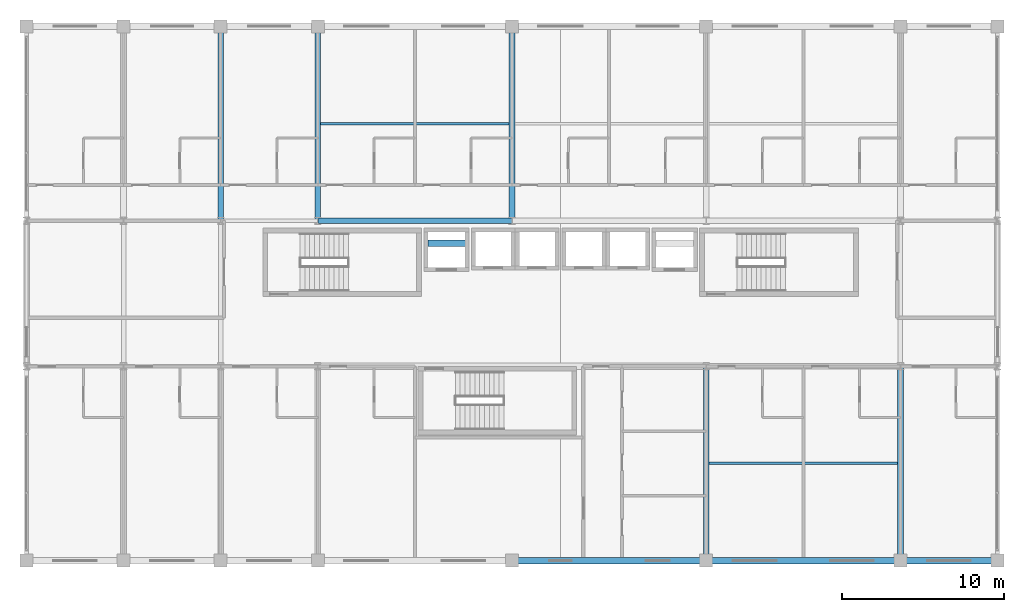
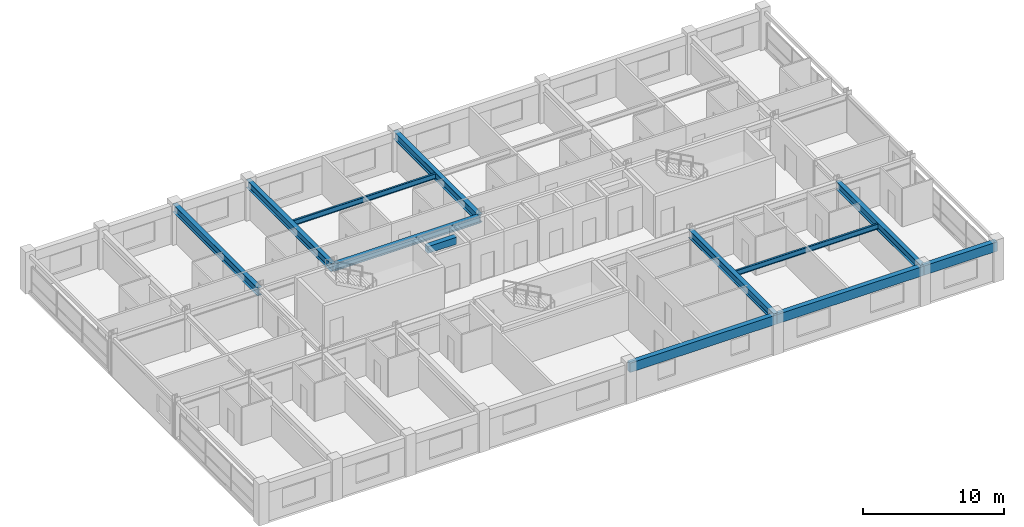
# One storey, part 9 of 26: 12 beams.
"""IFC4 building model written with IfcOpenShell, lengths in metres."""

from ifc_helpers import new_model, si_unit, direction, frame, origin, origin_2d, place, context, subcontext, project, spatial, rectangle, i_section, extrude, material, material_profile, profile_set, type_object, element, save


model = new_model("IFC4")

# Units and contexts
model_context = context("Model", 3, precision=1e-05, world=origin(), true_north=direction((0.0, 1.0)))
body_context = subcontext(model_context, "Body", "Model", "MODEL_VIEW")
ifc_project = project(units=[si_unit("LENGTHUNIT", "METRE"), si_unit("AREAUNIT", "SQUARE_METRE"), si_unit("VOLUMEUNIT", "CUBIC_METRE"), si_unit("PLANEANGLEUNIT", "RADIAN"), si_unit("MASSUNIT", "GRAM", prefix="KILO")], contexts=[model_context])

# Site, building, storey
site_placement = place(None, origin())
site = spatial("IfcSite", under=ifc_project, at=site_placement, CompositionType="ELEMENT")
building_placement = place(site_placement, origin())
building = spatial("IfcBuilding", under=site, at=building_placement, Name="Kaldorvane Square Convention Centre", CompositionType="ELEMENT")
storey_placement = place(building_placement, frame((0.0, 0.0, 42.0)))
storey = spatial("IfcBuildingStorey", under=building, at=storey_placement, Name="L09", CompositionType="ELEMENT", Elevation=42.0)

# Beams
ifc_material_1 = material(Name="Steel ASTM A992 Gr. 50", Category="steel")
ifc_material_profile_1 = material_profile(ifc_material_1, i_section(OverallWidth=0.326507568359375, OverallDepth=0.621795654296875, WebThickness=0.0153961181640625, FlangeThickness=0.0243988037109375, FilletRadius=0.0126953125, at=origin_2d()), Name="W24X131")
ifc_profile_set_1 = profile_set([ifc_material_profile_1], Name="Steel ASTM A992 Gr. 50")
beam_type_1 = type_object("IfcBeamType", Name="BM-GR-W24X131", PredefinedType="BEAM", material=ifc_profile_set_1)
beam_1_placement = place(storey_placement, frame((42.0, 105.0, 2.97509765625), z_axis=(1.0, 0.0, 0.0), x_axis=(0.0, 1.0, 0.0)))
element("IfcBeam", 1, at=beam_1_placement, inside=storey, type_object=beam_type_1, Name="Primary Girder (L09)", PredefinedType="BEAM", context=body_context, shape_type="SweptSolid", body=[
    extrude(i_section(OverallWidth=0.326507568359375, OverallDepth=0.621795654296875, WebThickness=0.0153961181640625, FlangeThickness=0.0243988037109375, FilletRadius=0.0126953125, at=origin_2d()), origin(), (0.0, 0.0, 1.0), 12.0),
])
ifc_material_profile_2 = material_profile(ifc_material_1, i_section(OverallWidth=0.354705810546875, OverallDepth=0.69549560546875, WebThickness=0.0153961181640625, FlangeThickness=0.0251007080078125, FilletRadius=0.01519775390625, at=origin_2d()), Name="W27X146")
ifc_profile_set_2 = profile_set([ifc_material_profile_2], Name="Steel ASTM A992 Gr. 50")
beam_type_2 = type_object("IfcBeamType", Name="BM-GR-W27X146", PredefinedType="BEAM", material=ifc_profile_set_2)
for number, where, z_axis, x_axis, name in (
    (2, (36.0, 105.0, 2.93829345703125), (0.0, 1.0, 0.0), (-1.0, 0.0, 0.0), "Transverse Girder (L09)"),
    (3, (42.0, 105.0, 2.93829345703125), (0.0, 1.0, 0.0), (-1.0, 0.0, 0.0), "Transverse Girder (L09)"),
    (4, (54.0, 105.0, 2.93829345703125), (0.0, 1.0, 0.0), (-1.0, 0.0, 0.0), "Transverse Girder (L09)"),
    (5, (66.0, 84.0, 2.93829345703125), (0.0, 1.0, 0.0), (-1.0, 0.0, 0.0), "Transverse Girder (L09)"),
    (6, (78.0, 84.0, 2.93829345703125), (0.0, 1.0, 0.0), (-1.0, 0.0, 0.0), "Transverse Girder (L09)"),
):
    element("IfcBeam", number, at=place(storey_placement, frame(where, z_axis=z_axis, x_axis=x_axis)), inside=storey, type_object=beam_type_2, Name=name, PredefinedType="BEAM", context=body_context, shape_type="SweptSolid", body=[
        extrude(i_section(OverallWidth=0.354705810546875, OverallDepth=0.69549560546875, WebThickness=0.0153961181640625, FlangeThickness=0.0251007080078125, FilletRadius=0.01519775390625, at=origin_2d()), origin(), (0.0, 0.0, 1.0), 12.0),
    ])
ifc_material_profile_3 = material_profile(ifc_material_1, i_section(OverallWidth=0.152801513671875, OverallDepth=0.4546966552734375, WebThickness=0.00799560546875, FlangeThickness=0.0133056640625, FilletRadius=0.01019287109375, at=origin_2d()), Name="W18X40")
ifc_profile_set_3 = profile_set([ifc_material_profile_3], Name="Steel ASTM A992 Gr. 50")
beam_type_3 = type_object("IfcBeamType", Name="BM-JS-W18X40", PredefinedType="JOIST", material=ifc_profile_set_3)
beam_2_placement = place(storey_placement, frame((66.17739868164062, 90.0, 3.0587005615234375), z_axis=(1.0, 0.0, 0.0), x_axis=(0.0, 1.0, 0.0)))
element("IfcBeam", 7, at=beam_2_placement, inside=storey, type_object=beam_type_3, Name="Secondary Floor Joist (L09)", PredefinedType="JOIST", context=body_context, shape_type="SweptSolid", body=[
    extrude(i_section(OverallWidth=0.152801513671875, OverallDepth=0.4546966552734375, WebThickness=0.00799560546875, FlangeThickness=0.0133056640625, FilletRadius=0.01019287109375, at=origin_2d()), origin(), (0.0, 0.0, 1.0), 11.64520263671875),
])
beam_3_placement = place(storey_placement, frame((42.17730712890625, 111.0, 3.0587005615234375), z_axis=(1.0, 0.0, 0.0), x_axis=(0.0, 1.0, 0.0)))
element("IfcBeam", 8, at=beam_3_placement, inside=storey, type_object=beam_type_3, Name="Secondary Floor Joist (L09)", PredefinedType="JOIST", context=body_context, shape_type="SweptSolid", body=[
    extrude(i_section(OverallWidth=0.152801513671875, OverallDepth=0.4546966552734375, WebThickness=0.00799560546875, FlangeThickness=0.0133056640625, FilletRadius=0.01019287109375, at=origin_2d()), origin(), (0.0, 0.0, 1.0), 11.6453857421875),
])
ifc_material_2 = material(Name="Concrete f'c = 42 MPa (Normalweight)", Category="concrete")
ifc_material_profile_4 = material_profile(ifc_material_2, rectangle(XDim=0.399993896484375, YDim=0.600006103515625, at=origin_2d()), Name="RCLN600X400")
ifc_profile_set_4 = profile_set([ifc_material_profile_4], Name="Concrete f'c = 42 MPa (Normalweight)")
beam_type_4 = type_object("IfcBeamType", Name="BM-LN-RC600", PredefinedType="LINTEL", material=ifc_profile_set_4)
beam_4_placement = place(storey_placement, frame((48.80000305175781, 103.60000610351562, 2.988006591796875), z_axis=(1.0, 0.0, 0.0), x_axis=(0.0, 1.0, 0.0)))
element("IfcBeam", 9, at=beam_4_placement, inside=storey, type_object=beam_type_4, Name="Core Coupling Lintel W (L09)", PredefinedType="LINTEL", context=body_context, shape_type="SweptSolid", body=[
    extrude(rectangle(XDim=0.399993896484375, YDim=0.600006103515625, at=origin_2d()), origin(), (0.0, 0.0, 1.0), 2.399993896484375),
])
ifc_material_profile_5 = material_profile(ifc_material_2, rectangle(XDim=0.399993896484375, YDim=0.8000030517578125, at=origin_2d()), Name="RCSP800X400")
ifc_profile_set_5 = profile_set([ifc_material_profile_5], Name="Concrete f'c = 42 MPa (Normalweight)")
beam_type_5 = type_object("IfcBeamType", Name="BM-SP-RC800", PredefinedType="SPANDREL", material=ifc_profile_set_5)
for number, where, z_axis, x_axis, name in (
    (10, (54.0, 84.0, 2.8860015869140625), (1.0, 0.0, 0.0), (0.0, 1.0, 0.0), "Perimeter Spandrel (L09)"),
    (11, (66.0, 84.0, 2.8860015869140625), (1.0, 0.0, 0.0), (0.0, 1.0, 0.0), "Perimeter Spandrel (L09)"),
):
    element("IfcBeam", number, at=place(storey_placement, frame(where, z_axis=z_axis, x_axis=x_axis)), inside=storey, type_object=beam_type_5, Name=name, PredefinedType="SPANDREL", context=body_context, shape_type="SweptSolid", body=[
        extrude(rectangle(XDim=0.399993896484375, YDim=0.8000030517578125, at=origin_2d()), origin(), (0.0, 0.0, 1.0), 12.0),
    ])
beam_5_placement = place(storey_placement, frame((78.0, 84.0, 2.8860015869140625), z_axis=(1.0, 0.0, 0.0), x_axis=(0.0, 1.0, 0.0)))
element("IfcBeam", 12, at=beam_5_placement, inside=storey, type_object=beam_type_5, Name="Perimeter Spandrel (L09)", PredefinedType="SPANDREL", context=body_context, shape_type="SweptSolid", body=[
    extrude(rectangle(XDim=0.399993896484375, YDim=0.8000030517578125, at=origin_2d()), origin(), (0.0, 0.0, 1.0), 6.0),
])

save(model, "model.ifc")
